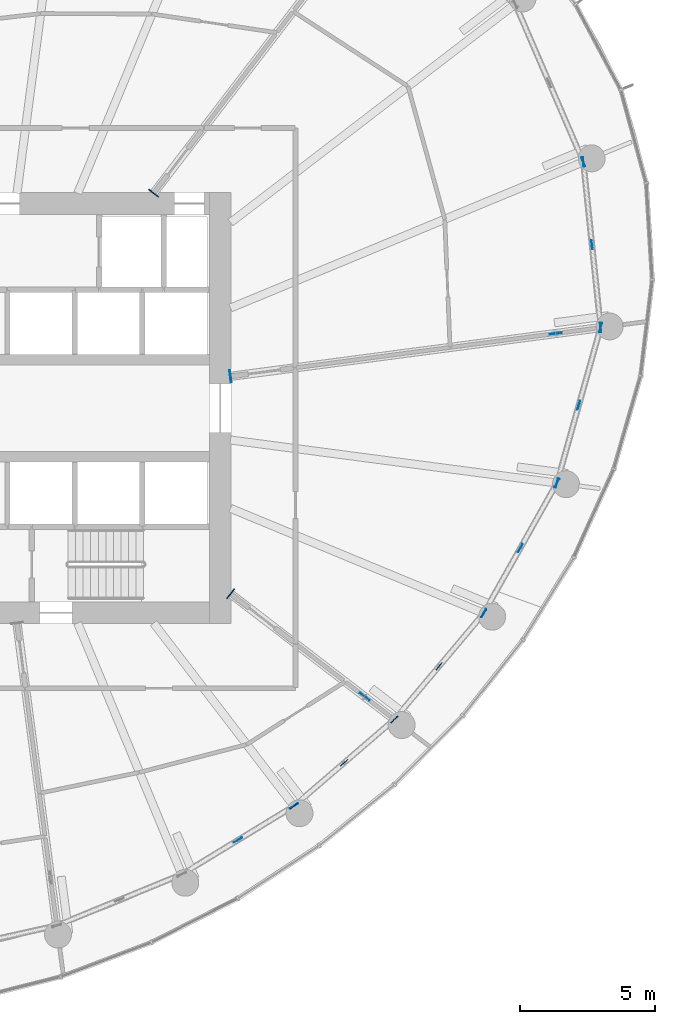
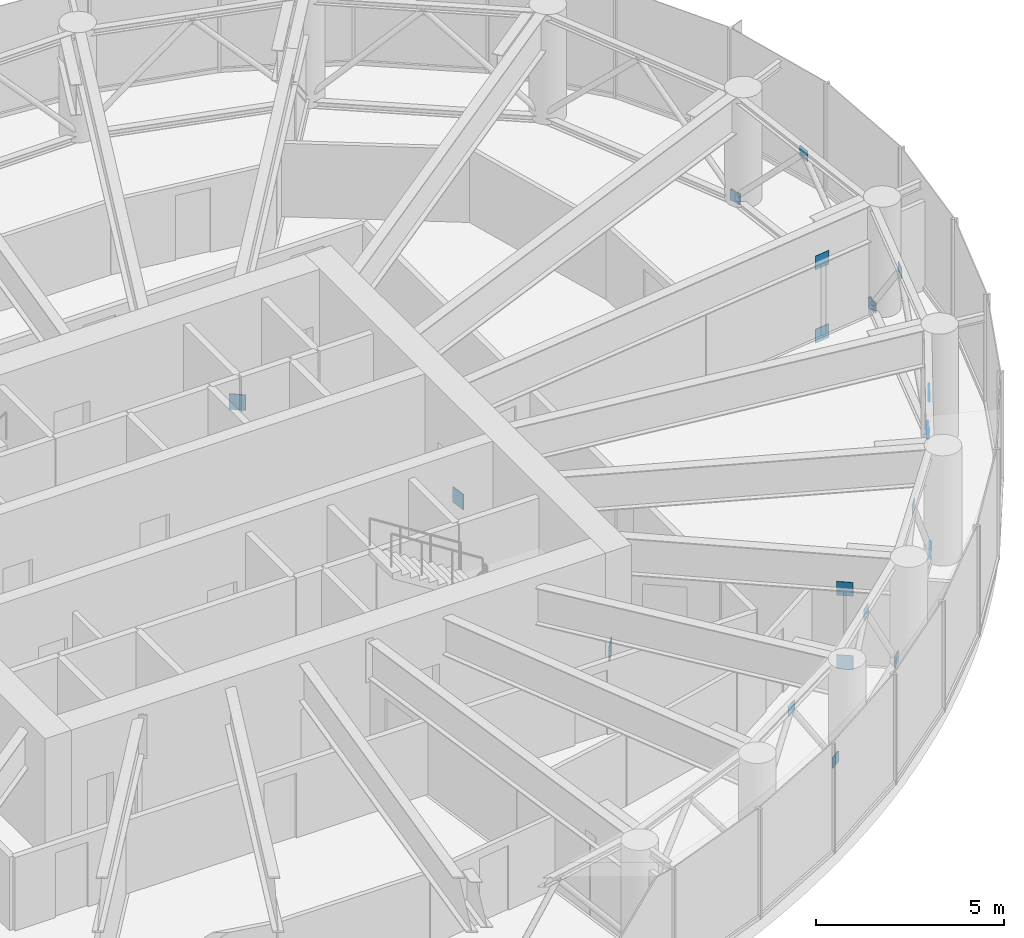
# One storey, part 20 of 25: 25 discrete accessories.
"""IFC4 building model written with IfcOpenShell, lengths in metres."""

from ifc_helpers import new_model, si_unit, direction, frame, origin, origin_2d, place, context, subcontext, project, spatial, rectangle, extrude, source, transform, mapped, material, layer, layer_set, type_object, element, save


model = new_model("IFC4")

# Units and contexts
model_context = context("Model", 3, precision=1e-05, world=origin(), true_north=direction((0.0, 1.0)))
body_context = subcontext(model_context, "Body", "Model", "MODEL_VIEW")
ifc_project = project(units=[si_unit("LENGTHUNIT", "METRE"), si_unit("AREAUNIT", "SQUARE_METRE"), si_unit("VOLUMEUNIT", "CUBIC_METRE"), si_unit("PLANEANGLEUNIT", "RADIAN"), si_unit("MASSUNIT", "GRAM", prefix="KILO")], contexts=[model_context])

# Site, building, storey
site_placement = place(None, origin())
site = spatial("IfcSite", under=ifc_project, at=site_placement, CompositionType="ELEMENT")
building_placement = place(site_placement, origin())
building = spatial("IfcBuilding", under=site, at=building_placement, Name="Spindrift Exchange Tower", CompositionType="ELEMENT")
storey_placement = place(building_placement, frame((0.0, 0.0, 179.89990234375)))
storey = spatial("IfcBuildingStorey", under=building, at=storey_placement, Name="L43", CompositionType="ELEMENT", Elevation=179.89990234375)

# Discrete accessories
ifc_material = material(Name="Steel Grade 350", Category="steel")
ifc_layer_1 = layer(ifc_material, 0.031982421875)
ifc_layer_set_1 = layer_set([ifc_layer_1], Name="Cast-in plate 450x500x32 Steel Grade 350")
discrete_accessory_type_1 = type_object("IfcDiscreteAccessoryType", Name="Cast-in plate 450x500x32 Steel Grade 350", PredefinedType="USERDEFINED", material=ifc_layer_set_1)
shared_shape_1 = source(origin(), body_context, "Body", "SweptSolid", [
    extrude(rectangle(XDim=0.031982421875, YDim=0.449951171875, at=origin_2d()), origin(), (0.0, 0.0, 1.0), 0.5),
])
for number, where, z_axis, x_axis, name in (
    (1, (60.980224609375, 49.182373046875, -0.406982421875), (0.0, 0.0, 1.0), (0.991444861374, 0.13052619222, 0.0), "L43 cast-in plate CP2 01"),
    (2, (58.12646484375, 55.984130859375, -0.406982421875), (0.0, 0.0, 1.0), (0.608761429009, 0.793353340291, 0.0), "L43 cast-in plate CP2 04"),
    (3, (60.984130859375, 41.106201171875, -0.406982421875), (0.0, 0.0, 1.0), (0.793353340291, -0.608761429009, 0.0), "L43 cast-in plate CP2 22"),
):
    element("IfcDiscreteAccessory", number, at=place(storey_placement, frame(where, z_axis=z_axis, x_axis=x_axis)), inside=storey, type_object=discrete_accessory_type_1, Name=name, ObjectType="Cast-in plate", PredefinedType="USERDEFINED", context=body_context, shape_type="MappedRepresentation", body=[
        mapped(shared_shape_1, transform((0.0, 0.0, 0.0), scale=1.0)),
    ])
ifc_layer_2 = layer(ifc_material, 0.02490234375)
ifc_layer_set_2 = layer_set([ifc_layer_2], Name="Gusset plate 450x450x25 Steel Grade 350")
discrete_accessory_type_2 = type_object("IfcDiscreteAccessoryType", Name="Gusset plate 450x450x25 Steel Grade 350", PredefinedType="USERDEFINED", material=ifc_layer_set_2)
shared_shape_2 = source(origin(), body_context, "Body", "SweptSolid", [
    extrude(rectangle(XDim=0.449951171875, YDim=0.02490234375, at=origin_2d()), origin(), (0.0, 0.0, 1.0), 0.449951171875),
])
for number, where, z_axis, x_axis, name in (
    (4, (73.062255859375, 50.77294921875, -0.22509765625), (0.0, 0.0, 1.0), (0.991444861374, 0.13052619222, 0.0), "L43 gusset plate GP1 01"),
    (5, (73.062255859375, 50.77294921875, 2.1552734375), (0.0, 0.0, 1.0), (0.991444861374, 0.13052619222, 0.0), "L43 gusset plate GP1 01"),
    (6, (65.970947265625, 37.27978515625, -0.22509765625), (0.0, 0.0, 1.0), (0.793353340291, -0.608761429009, 0.0), "L43 gusset plate GP1 22"),
    (7, (65.970947265625, 37.27978515625, 2.1552734375), (0.0, 0.0, 1.0), (0.793353340291, -0.608761429009, 0.0), "L43 gusset plate GP1 22"),
):
    element("IfcDiscreteAccessory", number, at=place(storey_placement, frame(where, z_axis=z_axis, x_axis=x_axis)), inside=storey, type_object=discrete_accessory_type_2, Name=name, ObjectType="Gusset plate", PredefinedType="USERDEFINED", context=body_context, shape_type="MappedRepresentation", body=[
        mapped(shared_shape_2, transform((0.0, 0.0, 0.0), scale=1.0)),
    ])
ifc_layer_3 = layer(ifc_material, 0.02001953125)
ifc_layer_set_3 = layer_set([ifc_layer_3], Name="Gusset plate 350x350x20 Steel Grade 350")
discrete_accessory_type_3 = type_object("IfcDiscreteAccessoryType", Name="Gusset plate 350x350x20 Steel Grade 350", PredefinedType="USERDEFINED", material=ifc_layer_set_3)
shared_shape_3 = source(origin(), body_context, "Body", "SweptSolid", [
    extrude(rectangle(XDim=0.35009765625, YDim=0.02001953125, at=origin_2d()), origin(), (0.0, 0.0, 1.0), 0.35009765625),
])
for number, where, z_axis, x_axis, name in (
    (8, (74.724853515625, 50.99169921875, 0.03515625), (0.0, 0.0, 1.0), (-0.103802884426, 0.994597889192, 0.0), "L43 gusset plate GP2 01"),
    (9, (74.40380859375, 54.0693359375, 3.195068359375), (0.0, 0.0, 1.0), (-0.103802884426, 0.994597889192, 0.0), "L43 gusset plate GP2 01"),
    (10, (74.08251953125, 57.14697265625, 0.03515625), (0.0, 0.0, 1.0), (-0.103775109973, 0.994600787527, 0.0), "L43 gusset plate GP2 01"),
    (11, (74.08251953125, 57.14697265625, 0.03515625), (0.0, 0.0, 1.0), (-0.395957431531, 0.918268867171, 0.0), "L43 gusset plate GP2 02"),
    (12, (61.25390625, 31.956787109375, 3.195068359375), (0.0, 0.0, 1.0), (0.854103191274, 0.520103584544, 0.0), "L43 gusset plate GP2 20"),
    (13, (63.3369140625, 33.225341796875, 0.03515625), (0.0, 0.0, 1.0), (0.854103191274, 0.520103584544, 0.0), "L43 gusset plate GP2 20"),
    (14, (63.3369140625, 33.225341796875, 0.03515625), (0.0, 0.0, 1.0), (0.757547894914, 0.652779585244, 0.0), "L43 gusset plate GP2 21"),
    (15, (65.20166015625, 34.832275390625, 3.195068359375), (0.0, 0.0, 1.0), (0.757547894914, 0.652779585244, 0.0), "L43 gusset plate GP2 21"),
    (16, (67.066650390625, 36.43896484375, 0.03515625), (0.0, 0.0, 1.0), (0.757585491063, 0.652735952535, 0.0), "L43 gusset plate GP2 21"),
    (17, (67.066650390625, 36.43896484375, 0.03515625), (0.0, 0.0, 1.0), (0.643680288471, 0.765294509476, 0.0), "L43 gusset plate GP2 22"),
    (18, (68.725830078125, 38.411865234375, 3.195068359375), (0.0, 0.0, 1.0), (0.643680288471, 0.765294509476, 0.0), "L43 gusset plate GP2 22"),
    (19, (70.38525390625, 40.384521484375, 0.03515625), (0.0, 0.0, 1.0), (0.643680288471, 0.765294509476, 0.0), "L43 gusset plate GP2 22"),
    (20, (70.38525390625, 40.384521484375, 0.03515625), (0.0, 0.0, 1.0), (0.489957679354, 0.871746220205, 0.0), "L43 gusset plate GP2 23"),
    (21, (71.744384765625, 42.802978515625, 3.195068359375), (0.0, 0.0, 1.0), (0.489957679354, 0.871746220205, 0.0), "L43 gusset plate GP2 23"),
    (22, (73.10400390625, 45.2216796875, 0.03515625), (0.0, 0.0, 1.0), (0.489985065827, 0.871730827301, 0.0), "L43 gusset plate GP2 23"),
    (23, (73.10400390625, 45.2216796875, 0.03515625), (0.0, 0.0, 1.0), (0.270455944519, 0.962732352253, 0.0), "L43 gusset plate GP2 24"),
    (24, (73.914306640625, 48.106689453125, 3.195068359375), (0.0, 0.0, 1.0), (0.270455944519, 0.962732352253, 0.0), "L43 gusset plate GP2 24"),
    (25, (74.724853515625, 50.99169921875, 0.03515625), (0.0, 0.0, 1.0), (0.270455944519, 0.962732352253, 0.0), "L43 gusset plate GP2 24"),
):
    element("IfcDiscreteAccessory", number, at=place(storey_placement, frame(where, z_axis=z_axis, x_axis=x_axis)), inside=storey, type_object=discrete_accessory_type_3, Name=name, ObjectType="Gusset plate", PredefinedType="USERDEFINED", context=body_context, shape_type="MappedRepresentation", body=[
        mapped(shared_shape_3, transform((0.0, 0.0, 0.0), scale=1.0)),
    ])

save(model, "model.ifc")
